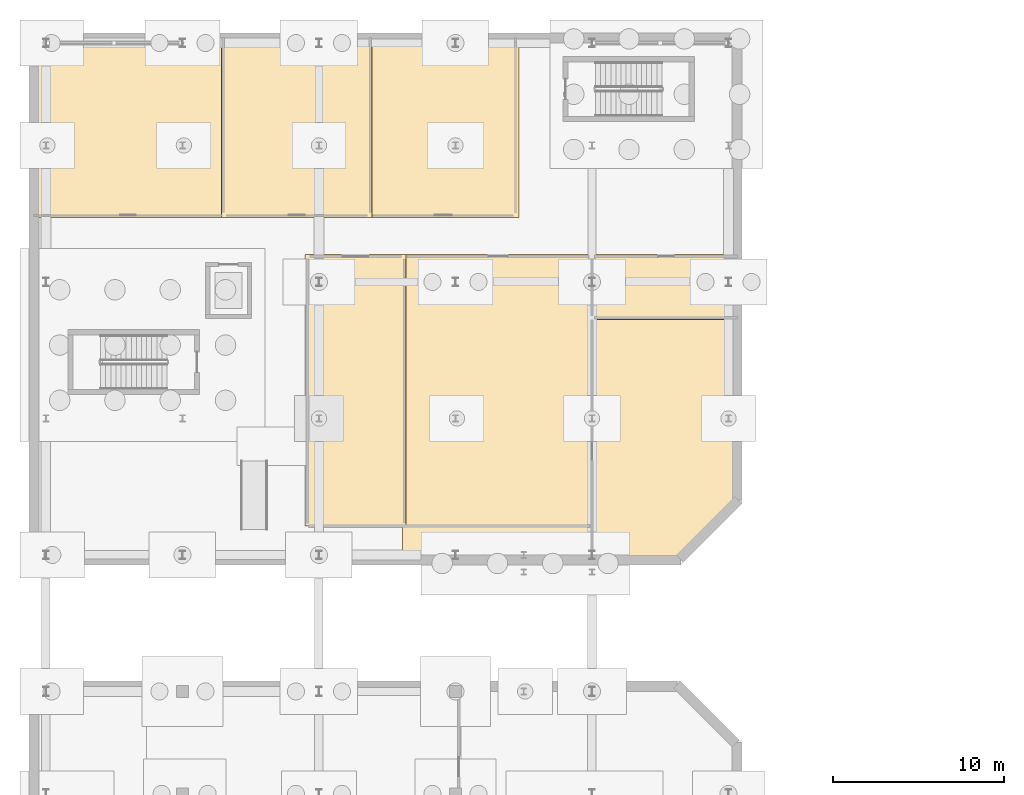
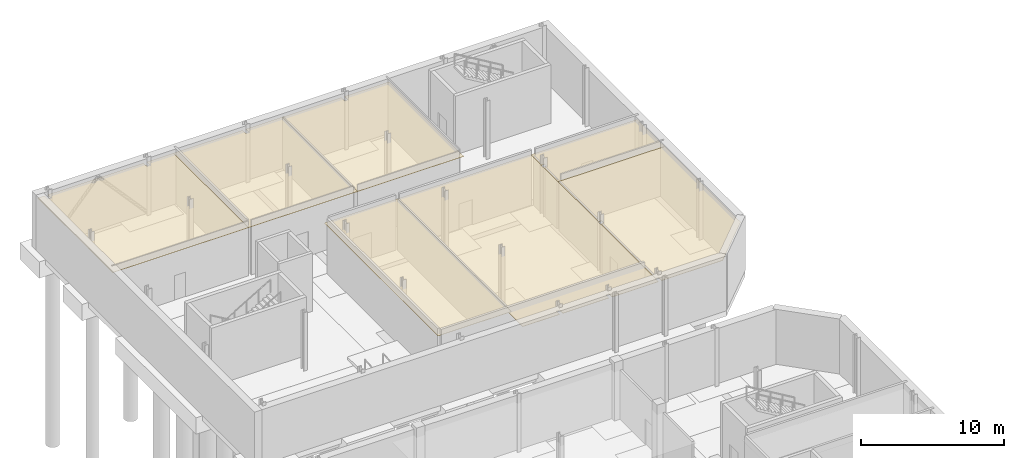
# One storey, part 42 of 47: 7 coverings.
"""IFC4 building model written with IfcOpenShell, lengths in metres."""

from ifc_helpers import new_model, si_unit, direction, frame, origin, place, context, subcontext, project, spatial, polyline, outline, extrude, material, layer, layer_set, type_object, element, save


model = new_model("IFC4")

# Units and contexts
model_context = context("Model", 3, precision=1e-05, world=origin(), true_north=direction((0.0, 1.0)))
body_context = subcontext(model_context, "Body", "Model", "MODEL_VIEW")
ifc_project = project(units=[si_unit("LENGTHUNIT", "METRE"), si_unit("AREAUNIT", "SQUARE_METRE"), si_unit("VOLUMEUNIT", "CUBIC_METRE"), si_unit("PLANEANGLEUNIT", "RADIAN"), si_unit("MASSUNIT", "GRAM", prefix="KILO")], contexts=[model_context])

# Site, building, storey
site_placement = place(None, origin())
site = spatial("IfcSite", under=ifc_project, at=site_placement, CompositionType="ELEMENT")
building_placement = place(site_placement, origin())
building = spatial("IfcBuilding", under=site, at=building_placement, Name="Cymarion Research Institute", CompositionType="ELEMENT")
storey_placement = place(building_placement, frame((0.0, 0.0, -5.0)))
storey = spatial("IfcBuildingStorey", under=building, at=storey_placement, Name="B1", CompositionType="ELEMENT", Elevation=-5.0)

# Coverings
ifc_material = material(Name="Micro-perforated mineral acoustic ceiling tile", Category="gypsum")
ifc_layer = layer(ifc_material, 0.030029296875)
ifc_layer_set = layer_set([ifc_layer], Name="Micro-perforated mineral acoustic ceiling tile")
covering_type = type_object("IfcCoveringType", Name="ACOUSTIC MICRO-PERFORATED SUSPENDED CEILING CLG-01", PredefinedType="CEILING", material=ifc_layer_set)
covering_1_placement = place(storey_placement, frame((0.0, 0.0, 4.14990234375)))
element("IfcCovering", 1, at=covering_1_placement, inside=storey, type_object=covering_type, Name="B1 B1 Climate & Earth-System Dry Modelling Laboratory acoustic ceiling", PredefinedType="CEILING", context=body_context, shape_type="SweptSolid", body=[
    extrude(outline(polyline([(27.715087890625, 103.114990234375), (27.715087890625, 87.18505859375), (21.784912109375, 87.18505859375), (21.784912109375, 103.114990234375), (27.715087890625, 103.114990234375)])), origin(), (0.0, 0.0, 1.0), 0.030029296875),
])
covering_2_placement = place(storey_placement, frame((0.0, 0.0, 4.14990234375)))
element("IfcCovering", 2, at=covering_2_placement, inside=storey, type_object=covering_type, Name="B1 B1 High-Performance Computing & Cryo-Data Room acoustic ceiling", PredefinedType="CEILING", context=body_context, shape_type="SweptSolid", body=[
    extrude(outline(polyline([(38.715087890625, 101.635009765625), (38.465087890625, 101.635009765625), (38.465087890625, 101.364990234375), (38.715087890625, 101.364990234375), (38.715087890625, 93.635009765625), (38.465087890625, 93.635009765625), (38.465087890625, 93.364990234375), (38.715087890625, 93.364990234375), (38.715087890625, 85.635009765625), (38.465087890625, 85.635009765625), (38.465087890625, 85.205078125), (34.735107421875, 85.205078125), (34.735107421875, 85.635009765625), (34.465087890625, 85.635009765625), (34.465087890625, 85.205078125), (30.735107421875, 85.205078125), (30.735107421875, 85.635009765625), (30.465087890625, 85.635009765625), (30.465087890625, 85.205078125), (27.485107421875, 85.205078125), (27.485107421875, 103.114990234375), (38.715087890625, 103.114990234375), (38.715087890625, 101.635009765625)])), origin(), (0.0, 0.0, 1.0), 0.030029296875),
])
covering_3_placement = place(storey_placement, frame((0.0, 0.0, 4.14990234375)))
element("IfcCovering", 3, at=covering_3_placement, inside=storey, type_object=covering_type, Name="B1 B1 Cryo-Data Cold Tape & UPS Equipment Room acoustic ceiling", PredefinedType="CEILING", context=body_context, shape_type="SweptSolid", body=[
    extrude(outline(polyline([(47.094970703125, 88.626220703125), (43.673583984375, 85.205078125), (38.735107421875, 85.205078125), (38.735107421875, 85.635009765625), (38.485107421875, 85.635009765625), (38.485107421875, 93.364990234375), (38.735107421875, 93.364990234375), (38.735107421875, 93.635009765625), (38.485107421875, 93.635009765625), (38.485107421875, 99.514892578125), (47.094970703125, 99.514892578125), (47.094970703125, 88.626220703125)])), origin(), (0.0, 0.0, 1.0), 0.030029296875),
])
covering_4_placement = place(storey_placement, frame((0.0, 0.0, 4.14990234375)))
element("IfcCovering", 4, at=covering_4_placement, inside=storey, type_object=covering_type, Name="B1 B1 Computational Wing Accessible WC acoustic ceiling", PredefinedType="CEILING", context=body_context, shape_type="SweptSolid", body=[
    extrude(outline(polyline([(38.735107421875, 101.364990234375), (38.735107421875, 101.635009765625), (38.485107421875, 101.635009765625), (38.485107421875, 103.114990234375), (47.094970703125, 103.114990234375), (47.094970703125, 99.284912109375), (38.485107421875, 99.284912109375), (38.485107421875, 101.364990234375), (38.735107421875, 101.364990234375)])), origin(), (0.0, 0.0, 1.0), 0.030029296875),
])
covering_5_placement = place(storey_placement, frame((0.0, 0.0, 4.14990234375)))
element("IfcCovering", 5, at=covering_5_placement, inside=storey, type_object=covering_type, Name="B1 B1 Principal Investigator Offices North-West acoustic ceiling", PredefinedType="CEILING", context=body_context, shape_type="SweptSolid", body=[
    extrude(outline(polyline([(5.905029296875, 115.794921875), (6.465087890625, 115.794921875), (6.465087890625, 115.364990234375), (6.735107421875, 115.364990234375), (6.735107421875, 115.794921875), (14.465087890625, 115.794921875), (14.465087890625, 115.364990234375), (14.735107421875, 115.364990234375), (14.735107421875, 115.794921875), (17.114990234375, 115.794921875), (17.114990234375, 105.284912109375), (5.905029296875, 105.284912109375), (5.905029296875, 115.794921875)])), origin(), (0.0, 0.0, 1.0), 0.030029296875),
])
covering_6_placement = place(storey_placement, frame((0.0, 0.0, 4.14990234375)))
element("IfcCovering", 6, at=covering_6_placement, inside=storey, type_object=covering_type, Name="B1 B1 Postdoctoral Dry Write-Up & Reading Bay acoustic ceiling", PredefinedType="CEILING", context=body_context, shape_type="SweptSolid", body=[
    extrude(outline(polyline([(16.885009765625, 115.794921875), (22.465087890625, 115.794921875), (22.465087890625, 115.364990234375), (22.735107421875, 115.364990234375), (22.735107421875, 115.794921875), (25.715087890625, 115.794921875), (25.715087890625, 105.284912109375), (16.885009765625, 105.284912109375), (16.885009765625, 115.794921875)])), origin(), (0.0, 0.0, 1.0), 0.030029296875),
])
covering_7_placement = place(storey_placement, frame((0.0, 0.0, 4.14990234375)))
element("IfcCovering", 7, at=covering_7_placement, inside=storey, type_object=covering_type, Name="B1 B1 Scientific Visualization & Machine-Learning Dry Lab acoustic ceiling", PredefinedType="CEILING", context=body_context, shape_type="SweptSolid", body=[
    extrude(outline(polyline([(25.485107421875, 115.794921875), (30.465087890625, 115.794921875), (30.465087890625, 115.364990234375), (30.735107421875, 115.364990234375), (30.735107421875, 115.794921875), (34.31494140625, 115.794921875), (34.31494140625, 105.284912109375), (25.485107421875, 105.284912109375), (25.485107421875, 115.794921875)])), origin(), (0.0, 0.0, 1.0), 0.030029296875),
])

save(model, "model.ifc")
